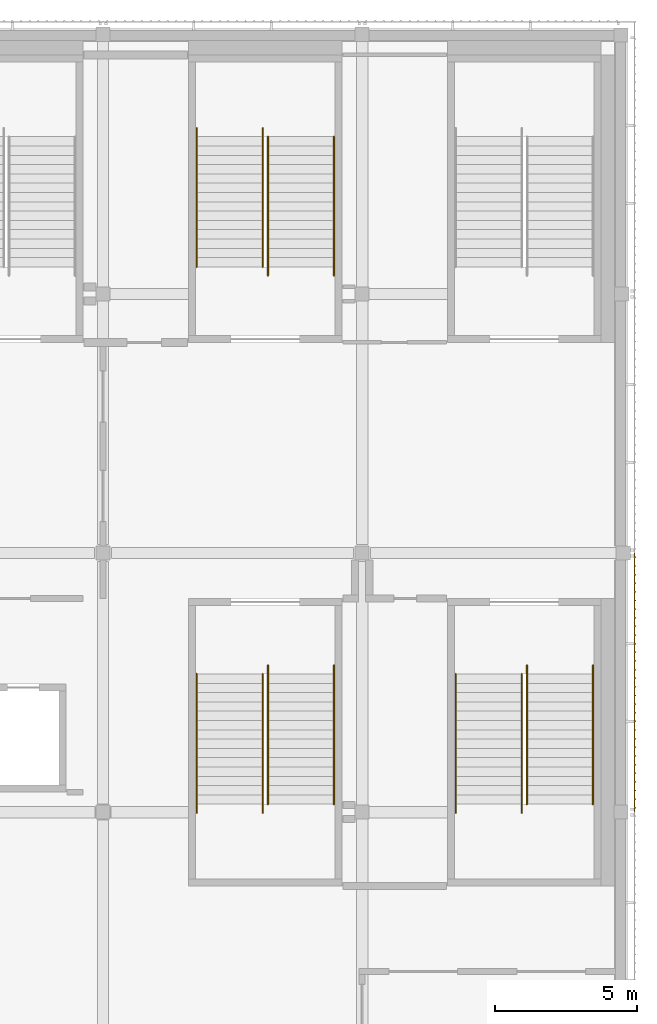
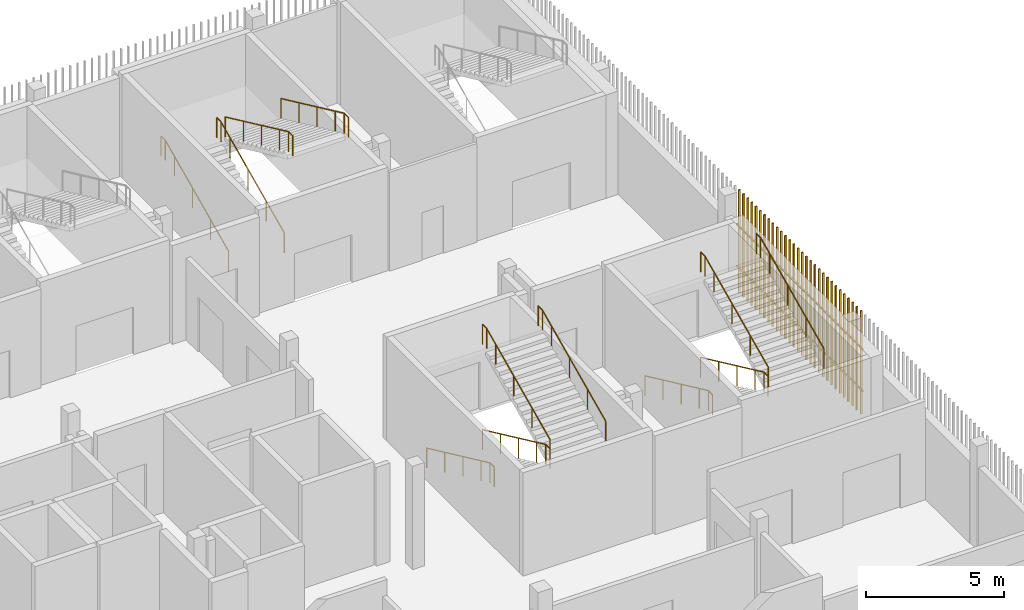
# One storey, part 86 of 91: 12 railings, 1 shading device.
"""IFC4 building model written with IfcOpenShell, lengths in metres."""

from ifc_helpers import new_model, si_unit, direction, frame, origin, origin_2d, place, context, subcontext, project, spatial, rectangle, circle, extrude, material, type_object, element, save


model = new_model("IFC4")

# Units and contexts
model_context = context("Model", 3, precision=1e-05, world=origin(), true_north=direction((0.0, 1.0)))
body_context = subcontext(model_context, "Body", "Model", "MODEL_VIEW")
ifc_project = project(units=[si_unit("LENGTHUNIT", "METRE"), si_unit("AREAUNIT", "SQUARE_METRE"), si_unit("VOLUMEUNIT", "CUBIC_METRE"), si_unit("PLANEANGLEUNIT", "RADIAN"), si_unit("MASSUNIT", "GRAM", prefix="KILO")], contexts=[model_context])

# Site, building, storey
site_placement = place(None, origin())
site = spatial("IfcSite", under=ifc_project, at=site_placement, CompositionType="ELEMENT")
building_placement = place(site_placement, origin())
building = spatial("IfcBuilding", under=site, at=building_placement, Name="Shirokan Park Arena", CompositionType="ELEMENT")
storey_placement = place(building_placement, frame((0.0, 0.0, 24.570068359375)))
storey = spatial("IfcBuildingStorey", under=building, at=storey_placement, Name="L05", CompositionType="ELEMENT", Elevation=24.570068359375)

# Railings
ifc_material_1 = material(Name="Stainless steel", Category="steel")
railing_type = type_object("IfcRailingType", Name="Stair handrail 900", PredefinedType="HANDRAIL", material=ifc_material_1)
railing_1_placement = place(storey_placement, frame((130.68994140625, 101.050048828125, 0.151611328125)))
element("IfcRailing", 1, at=railing_1_placement, inside=storey, type_object=railing_type, Name="Handrail Exit Stair 3.B L05 to L06", PredefinedType="HANDRAIL", context=body_context, shape_type="SweptSolid", body=[
    extrude(circle(Radius=0.02392578125, at=origin_2d()), frame((0.0, 0.0, 0.8759765625), z_axis=(0.0, 0.906999720516, 0.421131222998), x_axis=(-1.0, 0.0, 0.0)), (0.0, 0.0, 1.0), 1.440673828125),
    extrude(circle(Radius=0.02392578125, at=origin_2d()), frame((0.0, 1.306640625, 1.482421875), z_axis=(0.0, 0.907029769225, 0.421066500378), x_axis=(-1.0, 0.0, 0.0)), (0.0, 0.0, 1.0), 1.44091796875),
    extrude(circle(Radius=0.02392578125, at=origin_2d()), frame((0.0, 2.613525390625, 2.08935546875), z_axis=(0.0, 0.907029769225, 0.421066500378), x_axis=(-1.0, 0.0, 0.0)), (0.0, 0.0, 1.0), 1.44091796875),
    extrude(circle(Radius=0.02392578125, at=origin_2d()), frame((0.0, 3.92041015625, 2.69580078125), z_axis=(0.0, 0.907064445915, 0.420991794405), x_axis=(-1.0, 0.0, 0.0)), (0.0, 0.0, 1.0), 0.72021484375),
    extrude(circle(Radius=0.02392578125, at=origin_2d()), frame((0.0, 4.57373046875, 2.9990234375), z_axis=(0.0, 1.0, 0.0), x_axis=(-1.0, 0.0, 0.0)), (0.0, 0.0, 1.0), 0.300048828125),
    extrude(circle(Radius=0.02099609375, at=origin_2d()), origin(), (0.0, 0.0, 1.0), 0.851806640625),
    extrude(circle(Radius=0.02099609375, at=origin_2d()), frame((0.0, 1.306640625, 0.606689453125)), (0.0, 0.0, 1.0), 0.851806640625),
    extrude(circle(Radius=0.02099609375, at=origin_2d()), frame((0.0, 2.613525390625, 1.21337890625)), (0.0, 0.0, 1.0), 0.851806640625),
    extrude(circle(Radius=0.02099609375, at=origin_2d()), frame((0.0, 3.92041015625, 1.820068359375)), (0.0, 0.0, 1.0), 0.851806640625),
    extrude(circle(Radius=0.02099609375, at=origin_2d()), frame((0.0, 4.57373046875, 2.123291015625)), (0.0, 0.0, 1.0), 0.851806640625),
    extrude(circle(Radius=0.02099609375, at=origin_2d()), frame((0.0, 4.873779296875, 2.123291015625)), (0.0, 0.0, 1.0), 0.851806640625),
])
railing_2_placement = place(storey_placement, frame((133.010009765625, 101.050048828125, 0.151611328125)))
element("IfcRailing", 2, at=railing_2_placement, inside=storey, type_object=railing_type, Name="Handrail Exit Stair 3.B L05 to L06", PredefinedType="HANDRAIL", context=body_context, shape_type="SweptSolid", body=[
    extrude(circle(Radius=0.02392578125, at=origin_2d()), frame((0.0, 0.0, 0.8759765625), z_axis=(0.0, 0.906999720516, 0.421131222998), x_axis=(-1.0, 0.0, 0.0)), (0.0, 0.0, 1.0), 1.440673828125),
    extrude(circle(Radius=0.02392578125, at=origin_2d()), frame((0.0, 1.306640625, 1.482421875), z_axis=(0.0, 0.907029769225, 0.421066500378), x_axis=(-1.0, 0.0, 0.0)), (0.0, 0.0, 1.0), 1.44091796875),
    extrude(circle(Radius=0.02392578125, at=origin_2d()), frame((0.0, 2.613525390625, 2.08935546875), z_axis=(0.0, 0.907029769225, 0.421066500378), x_axis=(-1.0, 0.0, 0.0)), (0.0, 0.0, 1.0), 1.44091796875),
    extrude(circle(Radius=0.02392578125, at=origin_2d()), frame((0.0, 3.92041015625, 2.69580078125), z_axis=(0.0, 0.907064445915, 0.420991794405), x_axis=(-1.0, 0.0, 0.0)), (0.0, 0.0, 1.0), 0.72021484375),
    extrude(circle(Radius=0.02392578125, at=origin_2d()), frame((0.0, 4.57373046875, 2.9990234375), z_axis=(0.0, 1.0, 0.0), x_axis=(-1.0, 0.0, 0.0)), (0.0, 0.0, 1.0), 0.300048828125),
    extrude(circle(Radius=0.02099609375, at=origin_2d()), origin(), (0.0, 0.0, 1.0), 0.851806640625),
    extrude(circle(Radius=0.02099609375, at=origin_2d()), frame((0.0, 1.306640625, 0.606689453125)), (0.0, 0.0, 1.0), 0.851806640625),
    extrude(circle(Radius=0.02099609375, at=origin_2d()), frame((0.0, 2.613525390625, 1.21337890625)), (0.0, 0.0, 1.0), 0.851806640625),
    extrude(circle(Radius=0.02099609375, at=origin_2d()), frame((0.0, 3.92041015625, 1.820068359375)), (0.0, 0.0, 1.0), 0.851806640625),
    extrude(circle(Radius=0.02099609375, at=origin_2d()), frame((0.0, 4.57373046875, 2.123291015625)), (0.0, 0.0, 1.0), 0.851806640625),
    extrude(circle(Radius=0.02099609375, at=origin_2d()), frame((0.0, 4.873779296875, 2.123291015625)), (0.0, 0.0, 1.0), 0.851806640625),
])
railing_3_placement = place(storey_placement, frame((133.18994140625, 105.623779296875, 2.426513671875)))
element("IfcRailing", 3, at=railing_3_placement, inside=storey, type_object=railing_type, Name="Handrail Exit Stair 3.B L05 to L06", PredefinedType="HANDRAIL", context=body_context, shape_type="SweptSolid", body=[
    extrude(circle(Radius=0.02392578125, at=origin_2d()), frame((0.0, 0.0, 0.8759765625), z_axis=(0.0, -0.907029769225, 0.421066500378), x_axis=(1.0, 0.0, 0.0)), (0.0, 0.0, 1.0), 1.44091796875),
    extrude(circle(Radius=0.02392578125, at=origin_2d()), frame((0.0, -1.306884765625, 1.482421875), z_axis=(0.0, -0.906999720516, 0.421131222998), x_axis=(1.0, 0.0, 0.0)), (0.0, 0.0, 1.0), 1.440673828125),
    extrude(circle(Radius=0.02392578125, at=origin_2d()), frame((0.0, -2.613525390625, 2.08935546875), z_axis=(0.0, -0.907029769225, 0.421066500378), x_axis=(1.0, 0.0, 0.0)), (0.0, 0.0, 1.0), 1.44091796875),
    extrude(circle(Radius=0.02392578125, at=origin_2d()), frame((0.0, -3.92041015625, 2.69580078125), z_axis=(0.0, -0.906934982928, 0.421270621741), x_axis=(1.0, 0.0, 0.0)), (0.0, 0.0, 1.0), 0.720458984375),
    extrude(circle(Radius=0.02392578125, at=origin_2d()), frame((0.0, -4.57373046875, 2.99951171875), z_axis=(0.0, -1.0, 0.0), x_axis=(1.0, 0.0, 0.0)), (0.0, 0.0, 1.0), 0.300048828125),
    extrude(circle(Radius=0.02099609375, at=origin_2d()), origin(), (0.0, 0.0, 1.0), 0.851806640625),
    extrude(circle(Radius=0.02099609375, at=origin_2d()), frame((0.0, -1.306884765625, 0.606689453125)), (0.0, 0.0, 1.0), 0.851806640625),
    extrude(circle(Radius=0.02099609375, at=origin_2d()), frame((0.0, -2.613525390625, 1.21337890625)), (0.0, 0.0, 1.0), 0.851806640625),
    extrude(circle(Radius=0.02099609375, at=origin_2d()), frame((0.0, -3.92041015625, 1.820068359375)), (0.0, 0.0, 1.0), 0.851806640625),
    extrude(circle(Radius=0.02099609375, at=origin_2d()), frame((0.0, -4.57373046875, 2.12353515625)), (0.0, 0.0, 1.0), 0.851806640625),
    extrude(circle(Radius=0.02099609375, at=origin_2d()), frame((0.0, -4.873779296875, 2.12353515625)), (0.0, 0.0, 1.0), 0.851806640625),
])
railing_4_placement = place(storey_placement, frame((135.510009765625, 105.623779296875, 2.426513671875)))
element("IfcRailing", 4, at=railing_4_placement, inside=storey, type_object=railing_type, Name="Handrail Exit Stair 3.B L05 to L06", PredefinedType="HANDRAIL", context=body_context, shape_type="SweptSolid", body=[
    extrude(circle(Radius=0.02392578125, at=origin_2d()), frame((0.0, 0.0, 0.8759765625), z_axis=(0.0, -0.907029769225, 0.421066500378), x_axis=(1.0, 0.0, 0.0)), (0.0, 0.0, 1.0), 1.44091796875),
    extrude(circle(Radius=0.02392578125, at=origin_2d()), frame((0.0, -1.306884765625, 1.482421875), z_axis=(0.0, -0.906999720516, 0.421131222998), x_axis=(1.0, 0.0, 0.0)), (0.0, 0.0, 1.0), 1.440673828125),
    extrude(circle(Radius=0.02392578125, at=origin_2d()), frame((0.0, -2.613525390625, 2.08935546875), z_axis=(0.0, -0.907029769225, 0.421066500378), x_axis=(1.0, 0.0, 0.0)), (0.0, 0.0, 1.0), 1.44091796875),
    extrude(circle(Radius=0.02392578125, at=origin_2d()), frame((0.0, -3.92041015625, 2.69580078125), z_axis=(0.0, -0.906934982928, 0.421270621741), x_axis=(1.0, 0.0, 0.0)), (0.0, 0.0, 1.0), 0.720458984375),
    extrude(circle(Radius=0.02392578125, at=origin_2d()), frame((0.0, -4.57373046875, 2.99951171875), z_axis=(0.0, -1.0, 0.0), x_axis=(1.0, 0.0, 0.0)), (0.0, 0.0, 1.0), 0.300048828125),
    extrude(circle(Radius=0.02099609375, at=origin_2d()), origin(), (0.0, 0.0, 1.0), 0.851806640625),
    extrude(circle(Radius=0.02099609375, at=origin_2d()), frame((0.0, -1.306884765625, 0.606689453125)), (0.0, 0.0, 1.0), 0.851806640625),
    extrude(circle(Radius=0.02099609375, at=origin_2d()), frame((0.0, -2.613525390625, 1.21337890625)), (0.0, 0.0, 1.0), 0.851806640625),
    extrude(circle(Radius=0.02099609375, at=origin_2d()), frame((0.0, -3.92041015625, 1.820068359375)), (0.0, 0.0, 1.0), 0.851806640625),
    extrude(circle(Radius=0.02099609375, at=origin_2d()), frame((0.0, -4.57373046875, 2.12353515625)), (0.0, 0.0, 1.0), 0.851806640625),
    extrude(circle(Radius=0.02099609375, at=origin_2d()), frame((0.0, -4.873779296875, 2.12353515625)), (0.0, 0.0, 1.0), 0.851806640625),
])
railing_5_placement = place(storey_placement, frame((139.7900390625, 86.75, 0.151611328125)))
element("IfcRailing", 5, at=railing_5_placement, inside=storey, type_object=railing_type, Name="Handrail Exit Stair 3.E L05 to L06", PredefinedType="HANDRAIL", context=body_context, shape_type="SweptSolid", body=[
    extrude(circle(Radius=0.02392578125, at=origin_2d()), frame((0.0, 0.0, 0.8759765625), z_axis=(0.0, -0.907029769225, 0.421066500378), x_axis=(1.0, 0.0, 0.0)), (0.0, 0.0, 1.0), 1.44091796875),
    extrude(circle(Radius=0.02392578125, at=origin_2d()), frame((0.0, -1.306884765625, 1.482421875), z_axis=(0.0, -0.906999720516, 0.421131222998), x_axis=(1.0, 0.0, 0.0)), (0.0, 0.0, 1.0), 1.440673828125),
    extrude(circle(Radius=0.02392578125, at=origin_2d()), frame((0.0, -2.613525390625, 2.08935546875), z_axis=(0.0, -0.907029769225, 0.421066500378), x_axis=(1.0, 0.0, 0.0)), (0.0, 0.0, 1.0), 1.44091796875),
    extrude(circle(Radius=0.02392578125, at=origin_2d()), frame((0.0, -3.92041015625, 2.69580078125), z_axis=(0.0, -0.907064445915, 0.420991794405), x_axis=(1.0, 0.0, 0.0)), (0.0, 0.0, 1.0), 0.72021484375),
    extrude(circle(Radius=0.02392578125, at=origin_2d()), frame((0.0, -4.57373046875, 2.9990234375), z_axis=(0.0, -1.0, 0.0), x_axis=(1.0, 0.0, 0.0)), (0.0, 0.0, 1.0), 0.300048828125),
    extrude(circle(Radius=0.02099609375, at=origin_2d()), origin(), (0.0, 0.0, 1.0), 0.851806640625),
    extrude(circle(Radius=0.02099609375, at=origin_2d()), frame((0.0, -1.306884765625, 0.606689453125)), (0.0, 0.0, 1.0), 0.851806640625),
    extrude(circle(Radius=0.02099609375, at=origin_2d()), frame((0.0, -2.613525390625, 1.21337890625)), (0.0, 0.0, 1.0), 0.851806640625),
    extrude(circle(Radius=0.02099609375, at=origin_2d()), frame((0.0, -3.92041015625, 1.820068359375)), (0.0, 0.0, 1.0), 0.851806640625),
    extrude(circle(Radius=0.02099609375, at=origin_2d()), frame((0.0, -4.57373046875, 2.123291015625)), (0.0, 0.0, 1.0), 0.851806640625),
    extrude(circle(Radius=0.02099609375, at=origin_2d()), frame((0.0, -4.873779296875, 2.123291015625)), (0.0, 0.0, 1.0), 0.851806640625),
])
railing_6_placement = place(storey_placement, frame((142.110107421875, 86.75, 0.151611328125)))
element("IfcRailing", 6, at=railing_6_placement, inside=storey, type_object=railing_type, Name="Handrail Exit Stair 3.E L05 to L06", PredefinedType="HANDRAIL", context=body_context, shape_type="SweptSolid", body=[
    extrude(circle(Radius=0.02392578125, at=origin_2d()), frame((0.0, 0.0, 0.8759765625), z_axis=(0.0, -0.907029769225, 0.421066500378), x_axis=(1.0, 0.0, 0.0)), (0.0, 0.0, 1.0), 1.44091796875),
    extrude(circle(Radius=0.02392578125, at=origin_2d()), frame((0.0, -1.306884765625, 1.482421875), z_axis=(0.0, -0.906999720516, 0.421131222998), x_axis=(1.0, 0.0, 0.0)), (0.0, 0.0, 1.0), 1.440673828125),
    extrude(circle(Radius=0.02392578125, at=origin_2d()), frame((0.0, -2.613525390625, 2.08935546875), z_axis=(0.0, -0.907029769225, 0.421066500378), x_axis=(1.0, 0.0, 0.0)), (0.0, 0.0, 1.0), 1.44091796875),
    extrude(circle(Radius=0.02392578125, at=origin_2d()), frame((0.0, -3.92041015625, 2.69580078125), z_axis=(0.0, -0.907064445915, 0.420991794405), x_axis=(1.0, 0.0, 0.0)), (0.0, 0.0, 1.0), 0.72021484375),
    extrude(circle(Radius=0.02392578125, at=origin_2d()), frame((0.0, -4.57373046875, 2.9990234375), z_axis=(0.0, -1.0, 0.0), x_axis=(1.0, 0.0, 0.0)), (0.0, 0.0, 1.0), 0.300048828125),
    extrude(circle(Radius=0.02099609375, at=origin_2d()), origin(), (0.0, 0.0, 1.0), 0.851806640625),
    extrude(circle(Radius=0.02099609375, at=origin_2d()), frame((0.0, -1.306884765625, 0.606689453125)), (0.0, 0.0, 1.0), 0.851806640625),
    extrude(circle(Radius=0.02099609375, at=origin_2d()), frame((0.0, -2.613525390625, 1.21337890625)), (0.0, 0.0, 1.0), 0.851806640625),
    extrude(circle(Radius=0.02099609375, at=origin_2d()), frame((0.0, -3.92041015625, 1.820068359375)), (0.0, 0.0, 1.0), 0.851806640625),
    extrude(circle(Radius=0.02099609375, at=origin_2d()), frame((0.0, -4.57373046875, 2.123291015625)), (0.0, 0.0, 1.0), 0.851806640625),
    extrude(circle(Radius=0.02099609375, at=origin_2d()), frame((0.0, -4.873779296875, 2.123291015625)), (0.0, 0.0, 1.0), 0.851806640625),
])
railing_7_placement = place(storey_placement, frame((142.2900390625, 82.17626953125, 2.426513671875)))
element("IfcRailing", 7, at=railing_7_placement, inside=storey, type_object=railing_type, Name="Handrail Exit Stair 3.E L05 to L06", PredefinedType="HANDRAIL", context=body_context, shape_type="SweptSolid", body=[
    extrude(circle(Radius=0.02392578125, at=origin_2d()), frame((0.0, 0.0, 0.8759765625), z_axis=(0.0, 0.906999720516, 0.421131222998), x_axis=(-1.0, 0.0, 0.0)), (0.0, 0.0, 1.0), 1.440673828125),
    extrude(circle(Radius=0.02392578125, at=origin_2d()), frame((0.0, 1.306640625, 1.482421875), z_axis=(0.0, 0.907029769225, 0.421066500378), x_axis=(-1.0, 0.0, 0.0)), (0.0, 0.0, 1.0), 1.44091796875),
    extrude(circle(Radius=0.02392578125, at=origin_2d()), frame((0.0, 2.613525390625, 2.08935546875), z_axis=(0.0, 0.907029769225, 0.421066500378), x_axis=(-1.0, 0.0, 0.0)), (0.0, 0.0, 1.0), 1.44091796875),
    extrude(circle(Radius=0.02392578125, at=origin_2d()), frame((0.0, 3.92041015625, 2.69580078125), z_axis=(0.0, 0.906934982928, 0.421270621741), x_axis=(-1.0, 0.0, 0.0)), (0.0, 0.0, 1.0), 0.720458984375),
    extrude(circle(Radius=0.02392578125, at=origin_2d()), frame((0.0, 4.57373046875, 2.99951171875), z_axis=(0.0, 1.0, 0.0), x_axis=(-1.0, 0.0, 0.0)), (0.0, 0.0, 1.0), 0.300048828125),
    extrude(circle(Radius=0.02099609375, at=origin_2d()), origin(), (0.0, 0.0, 1.0), 0.851806640625),
    extrude(circle(Radius=0.02099609375, at=origin_2d()), frame((0.0, 1.306640625, 0.606689453125)), (0.0, 0.0, 1.0), 0.851806640625),
    extrude(circle(Radius=0.02099609375, at=origin_2d()), frame((0.0, 2.613525390625, 1.21337890625)), (0.0, 0.0, 1.0), 0.851806640625),
    extrude(circle(Radius=0.02099609375, at=origin_2d()), frame((0.0, 3.92041015625, 1.820068359375)), (0.0, 0.0, 1.0), 0.851806640625),
    extrude(circle(Radius=0.02099609375, at=origin_2d()), frame((0.0, 4.57373046875, 2.12353515625)), (0.0, 0.0, 1.0), 0.851806640625),
    extrude(circle(Radius=0.02099609375, at=origin_2d()), frame((0.0, 4.873779296875, 2.12353515625)), (0.0, 0.0, 1.0), 0.851806640625),
])
railing_8_placement = place(storey_placement, frame((144.610107421875, 82.17626953125, 2.426513671875)))
element("IfcRailing", 8, at=railing_8_placement, inside=storey, type_object=railing_type, Name="Handrail Exit Stair 3.E L05 to L06", PredefinedType="HANDRAIL", context=body_context, shape_type="SweptSolid", body=[
    extrude(circle(Radius=0.02392578125, at=origin_2d()), frame((0.0, 0.0, 0.8759765625), z_axis=(0.0, 0.906999720516, 0.421131222998), x_axis=(-1.0, 0.0, 0.0)), (0.0, 0.0, 1.0), 1.440673828125),
    extrude(circle(Radius=0.02392578125, at=origin_2d()), frame((0.0, 1.306640625, 1.482421875), z_axis=(0.0, 0.907029769225, 0.421066500378), x_axis=(-1.0, 0.0, 0.0)), (0.0, 0.0, 1.0), 1.44091796875),
    extrude(circle(Radius=0.02392578125, at=origin_2d()), frame((0.0, 2.613525390625, 2.08935546875), z_axis=(0.0, 0.907029769225, 0.421066500378), x_axis=(-1.0, 0.0, 0.0)), (0.0, 0.0, 1.0), 1.44091796875),
    extrude(circle(Radius=0.02392578125, at=origin_2d()), frame((0.0, 3.92041015625, 2.69580078125), z_axis=(0.0, 0.906934982928, 0.421270621741), x_axis=(-1.0, 0.0, 0.0)), (0.0, 0.0, 1.0), 0.720458984375),
    extrude(circle(Radius=0.02392578125, at=origin_2d()), frame((0.0, 4.57373046875, 2.99951171875), z_axis=(0.0, 1.0, 0.0), x_axis=(-1.0, 0.0, 0.0)), (0.0, 0.0, 1.0), 0.300048828125),
    extrude(circle(Radius=0.02099609375, at=origin_2d()), origin(), (0.0, 0.0, 1.0), 0.851806640625),
    extrude(circle(Radius=0.02099609375, at=origin_2d()), frame((0.0, 1.306640625, 0.606689453125)), (0.0, 0.0, 1.0), 0.851806640625),
    extrude(circle(Radius=0.02099609375, at=origin_2d()), frame((0.0, 2.613525390625, 1.21337890625)), (0.0, 0.0, 1.0), 0.851806640625),
    extrude(circle(Radius=0.02099609375, at=origin_2d()), frame((0.0, 3.92041015625, 1.820068359375)), (0.0, 0.0, 1.0), 0.851806640625),
    extrude(circle(Radius=0.02099609375, at=origin_2d()), frame((0.0, 4.57373046875, 2.12353515625)), (0.0, 0.0, 1.0), 0.851806640625),
    extrude(circle(Radius=0.02099609375, at=origin_2d()), frame((0.0, 4.873779296875, 2.12353515625)), (0.0, 0.0, 1.0), 0.851806640625),
])
railing_9_placement = place(storey_placement, frame((130.68994140625, 86.75, 0.151611328125)))
element("IfcRailing", 9, at=railing_9_placement, inside=storey, type_object=railing_type, Name="Handrail Exit Stair 3.F L05 to L06", PredefinedType="HANDRAIL", context=body_context, shape_type="SweptSolid", body=[
    extrude(circle(Radius=0.02392578125, at=origin_2d()), frame((0.0, 0.0, 0.8759765625), z_axis=(0.0, -0.907029769225, 0.421066500378), x_axis=(1.0, 0.0, 0.0)), (0.0, 0.0, 1.0), 1.44091796875),
    extrude(circle(Radius=0.02392578125, at=origin_2d()), frame((0.0, -1.306884765625, 1.482421875), z_axis=(0.0, -0.906999720516, 0.421131222998), x_axis=(1.0, 0.0, 0.0)), (0.0, 0.0, 1.0), 1.440673828125),
    extrude(circle(Radius=0.02392578125, at=origin_2d()), frame((0.0, -2.613525390625, 2.08935546875), z_axis=(0.0, -0.907029769225, 0.421066500378), x_axis=(1.0, 0.0, 0.0)), (0.0, 0.0, 1.0), 1.44091796875),
    extrude(circle(Radius=0.02392578125, at=origin_2d()), frame((0.0, -3.92041015625, 2.69580078125), z_axis=(0.0, -0.907064445915, 0.420991794405), x_axis=(1.0, 0.0, 0.0)), (0.0, 0.0, 1.0), 0.72021484375),
    extrude(circle(Radius=0.02392578125, at=origin_2d()), frame((0.0, -4.57373046875, 2.9990234375), z_axis=(0.0, -1.0, 0.0), x_axis=(1.0, 0.0, 0.0)), (0.0, 0.0, 1.0), 0.300048828125),
    extrude(circle(Radius=0.02099609375, at=origin_2d()), origin(), (0.0, 0.0, 1.0), 0.851806640625),
    extrude(circle(Radius=0.02099609375, at=origin_2d()), frame((0.0, -1.306884765625, 0.606689453125)), (0.0, 0.0, 1.0), 0.851806640625),
    extrude(circle(Radius=0.02099609375, at=origin_2d()), frame((0.0, -2.613525390625, 1.21337890625)), (0.0, 0.0, 1.0), 0.851806640625),
    extrude(circle(Radius=0.02099609375, at=origin_2d()), frame((0.0, -3.92041015625, 1.820068359375)), (0.0, 0.0, 1.0), 0.851806640625),
    extrude(circle(Radius=0.02099609375, at=origin_2d()), frame((0.0, -4.57373046875, 2.123291015625)), (0.0, 0.0, 1.0), 0.851806640625),
    extrude(circle(Radius=0.02099609375, at=origin_2d()), frame((0.0, -4.873779296875, 2.123291015625)), (0.0, 0.0, 1.0), 0.851806640625),
])
railing_10_placement = place(storey_placement, frame((133.010009765625, 86.75, 0.151611328125)))
element("IfcRailing", 10, at=railing_10_placement, inside=storey, type_object=railing_type, Name="Handrail Exit Stair 3.F L05 to L06", PredefinedType="HANDRAIL", context=body_context, shape_type="SweptSolid", body=[
    extrude(circle(Radius=0.02392578125, at=origin_2d()), frame((0.0, 0.0, 0.8759765625), z_axis=(0.0, -0.907029769225, 0.421066500378), x_axis=(1.0, 0.0, 0.0)), (0.0, 0.0, 1.0), 1.44091796875),
    extrude(circle(Radius=0.02392578125, at=origin_2d()), frame((0.0, -1.306884765625, 1.482421875), z_axis=(0.0, -0.906999720516, 0.421131222998), x_axis=(1.0, 0.0, 0.0)), (0.0, 0.0, 1.0), 1.440673828125),
    extrude(circle(Radius=0.02392578125, at=origin_2d()), frame((0.0, -2.613525390625, 2.08935546875), z_axis=(0.0, -0.907029769225, 0.421066500378), x_axis=(1.0, 0.0, 0.0)), (0.0, 0.0, 1.0), 1.44091796875),
    extrude(circle(Radius=0.02392578125, at=origin_2d()), frame((0.0, -3.92041015625, 2.69580078125), z_axis=(0.0, -0.907064445915, 0.420991794405), x_axis=(1.0, 0.0, 0.0)), (0.0, 0.0, 1.0), 0.72021484375),
    extrude(circle(Radius=0.02392578125, at=origin_2d()), frame((0.0, -4.57373046875, 2.9990234375), z_axis=(0.0, -1.0, 0.0), x_axis=(1.0, 0.0, 0.0)), (0.0, 0.0, 1.0), 0.300048828125),
    extrude(circle(Radius=0.02099609375, at=origin_2d()), origin(), (0.0, 0.0, 1.0), 0.851806640625),
    extrude(circle(Radius=0.02099609375, at=origin_2d()), frame((0.0, -1.306884765625, 0.606689453125)), (0.0, 0.0, 1.0), 0.851806640625),
    extrude(circle(Radius=0.02099609375, at=origin_2d()), frame((0.0, -2.613525390625, 1.21337890625)), (0.0, 0.0, 1.0), 0.851806640625),
    extrude(circle(Radius=0.02099609375, at=origin_2d()), frame((0.0, -3.92041015625, 1.820068359375)), (0.0, 0.0, 1.0), 0.851806640625),
    extrude(circle(Radius=0.02099609375, at=origin_2d()), frame((0.0, -4.57373046875, 2.123291015625)), (0.0, 0.0, 1.0), 0.851806640625),
    extrude(circle(Radius=0.02099609375, at=origin_2d()), frame((0.0, -4.873779296875, 2.123291015625)), (0.0, 0.0, 1.0), 0.851806640625),
])
railing_11_placement = place(storey_placement, frame((133.18994140625, 82.17626953125, 2.426513671875)))
element("IfcRailing", 11, at=railing_11_placement, inside=storey, type_object=railing_type, Name="Handrail Exit Stair 3.F L05 to L06", PredefinedType="HANDRAIL", context=body_context, shape_type="SweptSolid", body=[
    extrude(circle(Radius=0.02392578125, at=origin_2d()), frame((0.0, 0.0, 0.8759765625), z_axis=(0.0, 0.906999720516, 0.421131222998), x_axis=(-1.0, 0.0, 0.0)), (0.0, 0.0, 1.0), 1.440673828125),
    extrude(circle(Radius=0.02392578125, at=origin_2d()), frame((0.0, 1.306640625, 1.482421875), z_axis=(0.0, 0.907029769225, 0.421066500378), x_axis=(-1.0, 0.0, 0.0)), (0.0, 0.0, 1.0), 1.44091796875),
    extrude(circle(Radius=0.02392578125, at=origin_2d()), frame((0.0, 2.613525390625, 2.08935546875), z_axis=(0.0, 0.907029769225, 0.421066500378), x_axis=(-1.0, 0.0, 0.0)), (0.0, 0.0, 1.0), 1.44091796875),
    extrude(circle(Radius=0.02392578125, at=origin_2d()), frame((0.0, 3.92041015625, 2.69580078125), z_axis=(0.0, 0.906934982928, 0.421270621741), x_axis=(-1.0, 0.0, 0.0)), (0.0, 0.0, 1.0), 0.720458984375),
    extrude(circle(Radius=0.02392578125, at=origin_2d()), frame((0.0, 4.57373046875, 2.99951171875), z_axis=(0.0, 1.0, 0.0), x_axis=(-1.0, 0.0, 0.0)), (0.0, 0.0, 1.0), 0.300048828125),
    extrude(circle(Radius=0.02099609375, at=origin_2d()), origin(), (0.0, 0.0, 1.0), 0.851806640625),
    extrude(circle(Radius=0.02099609375, at=origin_2d()), frame((0.0, 1.306640625, 0.606689453125)), (0.0, 0.0, 1.0), 0.851806640625),
    extrude(circle(Radius=0.02099609375, at=origin_2d()), frame((0.0, 2.613525390625, 1.21337890625)), (0.0, 0.0, 1.0), 0.851806640625),
    extrude(circle(Radius=0.02099609375, at=origin_2d()), frame((0.0, 3.92041015625, 1.820068359375)), (0.0, 0.0, 1.0), 0.851806640625),
    extrude(circle(Radius=0.02099609375, at=origin_2d()), frame((0.0, 4.57373046875, 2.12353515625)), (0.0, 0.0, 1.0), 0.851806640625),
    extrude(circle(Radius=0.02099609375, at=origin_2d()), frame((0.0, 4.873779296875, 2.12353515625)), (0.0, 0.0, 1.0), 0.851806640625),
])
railing_12_placement = place(storey_placement, frame((135.510009765625, 82.17626953125, 2.426513671875)))
element("IfcRailing", 12, at=railing_12_placement, inside=storey, type_object=railing_type, Name="Handrail Exit Stair 3.F L05 to L06", PredefinedType="HANDRAIL", context=body_context, shape_type="SweptSolid", body=[
    extrude(circle(Radius=0.02392578125, at=origin_2d()), frame((0.0, 0.0, 0.8759765625), z_axis=(0.0, 0.906999720516, 0.421131222998), x_axis=(-1.0, 0.0, 0.0)), (0.0, 0.0, 1.0), 1.440673828125),
    extrude(circle(Radius=0.02392578125, at=origin_2d()), frame((0.0, 1.306640625, 1.482421875), z_axis=(0.0, 0.907029769225, 0.421066500378), x_axis=(-1.0, 0.0, 0.0)), (0.0, 0.0, 1.0), 1.44091796875),
    extrude(circle(Radius=0.02392578125, at=origin_2d()), frame((0.0, 2.613525390625, 2.08935546875), z_axis=(0.0, 0.907029769225, 0.421066500378), x_axis=(-1.0, 0.0, 0.0)), (0.0, 0.0, 1.0), 1.44091796875),
    extrude(circle(Radius=0.02392578125, at=origin_2d()), frame((0.0, 3.92041015625, 2.69580078125), z_axis=(0.0, 0.906934982928, 0.421270621741), x_axis=(-1.0, 0.0, 0.0)), (0.0, 0.0, 1.0), 0.720458984375),
    extrude(circle(Radius=0.02392578125, at=origin_2d()), frame((0.0, 4.57373046875, 2.99951171875), z_axis=(0.0, 1.0, 0.0), x_axis=(-1.0, 0.0, 0.0)), (0.0, 0.0, 1.0), 0.300048828125),
    extrude(circle(Radius=0.02099609375, at=origin_2d()), origin(), (0.0, 0.0, 1.0), 0.851806640625),
    extrude(circle(Radius=0.02099609375, at=origin_2d()), frame((0.0, 1.306640625, 0.606689453125)), (0.0, 0.0, 1.0), 0.851806640625),
    extrude(circle(Radius=0.02099609375, at=origin_2d()), frame((0.0, 2.613525390625, 1.21337890625)), (0.0, 0.0, 1.0), 0.851806640625),
    extrude(circle(Radius=0.02099609375, at=origin_2d()), frame((0.0, 3.92041015625, 1.820068359375)), (0.0, 0.0, 1.0), 0.851806640625),
    extrude(circle(Radius=0.02099609375, at=origin_2d()), frame((0.0, 4.57373046875, 2.12353515625)), (0.0, 0.0, 1.0), 0.851806640625),
    extrude(circle(Radius=0.02099609375, at=origin_2d()), frame((0.0, 4.873779296875, 2.12353515625)), (0.0, 0.0, 1.0), 0.851806640625),
])

# Shading device
ifc_material_2 = material(Name="Timber louvre veil (cedar)", Category="wood")
shading_device_type = type_object("IfcShadingDeviceType", Name="Timber louvre veil panel", PredefinedType="JALOUSIE", material=ifc_material_2)
shading_device_placement = place(storey_placement, origin())
element("IfcShadingDevice", 13, at=shading_device_placement, inside=storey, type_object=shading_device_type, Name="Timber louvre veil east bay 10 L05", PredefinedType="JALOUSIE", context=body_context, shape_type="SweptSolid", body=[
    extrude(rectangle(XDim=0.050048828125, YDim=0.080078125, at=origin_2d()), frame((146.0849609375, 82.0517578125, 0.0), z_axis=(0.0, 0.0, 1.0), x_axis=(0.0, 1.0, 0.0)), (0.0, 0.0, 1.0), 4.550048828125),
    extrude(rectangle(XDim=0.050048828125, YDim=0.080078125, at=origin_2d()), frame((146.0849609375, 82.35498046875, 0.0), z_axis=(0.0, 0.0, 1.0), x_axis=(0.0, 1.0, 0.0)), (0.0, 0.0, 1.0), 4.550048828125),
    extrude(rectangle(XDim=0.050048828125, YDim=0.080078125, at=origin_2d()), frame((146.0849609375, 82.658447265625, 0.0), z_axis=(0.0, 0.0, 1.0), x_axis=(0.0, 1.0, 0.0)), (0.0, 0.0, 1.0), 4.550048828125),
    extrude(rectangle(XDim=0.050048828125, YDim=0.080078125, at=origin_2d()), frame((146.0849609375, 82.961669921875, 0.0), z_axis=(0.0, 0.0, 1.0), x_axis=(0.0, 1.0, 0.0)), (0.0, 0.0, 1.0), 4.550048828125),
    extrude(rectangle(XDim=0.050048828125, YDim=0.080078125, at=origin_2d()), frame((146.0849609375, 83.264892578125, 0.0), z_axis=(0.0, 0.0, 1.0), x_axis=(0.0, 1.0, 0.0)), (0.0, 0.0, 1.0), 4.550048828125),
    extrude(rectangle(XDim=0.050048828125, YDim=0.080078125, at=origin_2d()), frame((146.0849609375, 83.568359375, 0.0), z_axis=(0.0, 0.0, 1.0), x_axis=(0.0, 1.0, 0.0)), (0.0, 0.0, 1.0), 4.550048828125),
    extrude(rectangle(XDim=0.050048828125, YDim=0.080078125, at=origin_2d()), frame((146.0849609375, 83.87158203125, 0.0), z_axis=(0.0, 0.0, 1.0), x_axis=(0.0, 1.0, 0.0)), (0.0, 0.0, 1.0), 4.550048828125),
    extrude(rectangle(XDim=0.050048828125, YDim=0.080078125, at=origin_2d()), frame((146.0849609375, 84.175048828125, 0.0), z_axis=(0.0, 0.0, 1.0), x_axis=(0.0, 1.0, 0.0)), (0.0, 0.0, 1.0), 4.550048828125),
    extrude(rectangle(XDim=0.050048828125, YDim=0.080078125, at=origin_2d()), frame((146.0849609375, 84.478271484375, 0.0), z_axis=(0.0, 0.0, 1.0), x_axis=(0.0, 1.0, 0.0)), (0.0, 0.0, 1.0), 4.550048828125),
    extrude(rectangle(XDim=0.050048828125, YDim=0.080078125, at=origin_2d()), frame((146.0849609375, 84.78173828125, 0.0), z_axis=(0.0, 0.0, 1.0), x_axis=(0.0, 1.0, 0.0)), (0.0, 0.0, 1.0), 4.550048828125),
    extrude(rectangle(XDim=0.050048828125, YDim=0.080078125, at=origin_2d()), frame((146.0849609375, 85.0849609375, 0.0), z_axis=(0.0, 0.0, 1.0), x_axis=(0.0, 1.0, 0.0)), (0.0, 0.0, 1.0), 4.550048828125),
    extrude(rectangle(XDim=0.050048828125, YDim=0.080078125, at=origin_2d()), frame((146.0849609375, 85.388427734375, 0.0), z_axis=(0.0, 0.0, 1.0), x_axis=(0.0, 1.0, 0.0)), (0.0, 0.0, 1.0), 4.550048828125),
    extrude(rectangle(XDim=0.050048828125, YDim=0.080078125, at=origin_2d()), frame((146.0849609375, 85.691650390625, 0.0), z_axis=(0.0, 0.0, 1.0), x_axis=(0.0, 1.0, 0.0)), (0.0, 0.0, 1.0), 4.550048828125),
    extrude(rectangle(XDim=0.050048828125, YDim=0.080078125, at=origin_2d()), frame((146.0849609375, 85.9951171875, 0.0), z_axis=(0.0, 0.0, 1.0), x_axis=(0.0, 1.0, 0.0)), (0.0, 0.0, 1.0), 4.550048828125),
    extrude(rectangle(XDim=0.050048828125, YDim=0.080078125, at=origin_2d()), frame((146.0849609375, 86.29833984375, 0.0), z_axis=(0.0, 0.0, 1.0), x_axis=(0.0, 1.0, 0.0)), (0.0, 0.0, 1.0), 4.550048828125),
    extrude(rectangle(XDim=0.050048828125, YDim=0.080078125, at=origin_2d()), frame((146.0849609375, 86.6015625, 0.0), z_axis=(0.0, 0.0, 1.0), x_axis=(0.0, 1.0, 0.0)), (0.0, 0.0, 1.0), 4.550048828125),
    extrude(rectangle(XDim=0.050048828125, YDim=0.080078125, at=origin_2d()), frame((146.0849609375, 86.905029296875, 0.0), z_axis=(0.0, 0.0, 1.0), x_axis=(0.0, 1.0, 0.0)), (0.0, 0.0, 1.0), 4.550048828125),
    extrude(rectangle(XDim=0.050048828125, YDim=0.080078125, at=origin_2d()), frame((146.0849609375, 87.208251953125, 0.0), z_axis=(0.0, 0.0, 1.0), x_axis=(0.0, 1.0, 0.0)), (0.0, 0.0, 1.0), 4.550048828125),
    extrude(rectangle(XDim=0.050048828125, YDim=0.080078125, at=origin_2d()), frame((146.0849609375, 87.51171875, 0.0), z_axis=(0.0, 0.0, 1.0), x_axis=(0.0, 1.0, 0.0)), (0.0, 0.0, 1.0), 4.550048828125),
    extrude(rectangle(XDim=0.050048828125, YDim=0.080078125, at=origin_2d()), frame((146.0849609375, 87.81494140625, 0.0), z_axis=(0.0, 0.0, 1.0), x_axis=(0.0, 1.0, 0.0)), (0.0, 0.0, 1.0), 4.550048828125),
    extrude(rectangle(XDim=0.050048828125, YDim=0.080078125, at=origin_2d()), frame((146.0849609375, 88.118408203125, 0.0), z_axis=(0.0, 0.0, 1.0), x_axis=(0.0, 1.0, 0.0)), (0.0, 0.0, 1.0), 4.550048828125),
    extrude(rectangle(XDim=0.050048828125, YDim=0.080078125, at=origin_2d()), frame((146.0849609375, 88.421630859375, 0.0), z_axis=(0.0, 0.0, 1.0), x_axis=(0.0, 1.0, 0.0)), (0.0, 0.0, 1.0), 4.550048828125),
    extrude(rectangle(XDim=0.050048828125, YDim=0.080078125, at=origin_2d()), frame((146.0849609375, 88.72509765625, 0.0), z_axis=(0.0, 0.0, 1.0), x_axis=(0.0, 1.0, 0.0)), (0.0, 0.0, 1.0), 4.550048828125),
    extrude(rectangle(XDim=0.050048828125, YDim=0.080078125, at=origin_2d()), frame((146.0849609375, 89.0283203125, 0.0), z_axis=(0.0, 0.0, 1.0), x_axis=(0.0, 1.0, 0.0)), (0.0, 0.0, 1.0), 4.550048828125),
    extrude(rectangle(XDim=0.050048828125, YDim=0.080078125, at=origin_2d()), frame((146.0849609375, 89.331787109375, 0.0), z_axis=(0.0, 0.0, 1.0), x_axis=(0.0, 1.0, 0.0)), (0.0, 0.0, 1.0), 4.550048828125),
    extrude(rectangle(XDim=0.050048828125, YDim=0.080078125, at=origin_2d()), frame((146.0849609375, 89.635009765625, 0.0), z_axis=(0.0, 0.0, 1.0), x_axis=(0.0, 1.0, 0.0)), (0.0, 0.0, 1.0), 4.550048828125),
    extrude(rectangle(XDim=0.050048828125, YDim=0.080078125, at=origin_2d()), frame((146.0849609375, 89.938232421875, 0.0), z_axis=(0.0, 0.0, 1.0), x_axis=(0.0, 1.0, 0.0)), (0.0, 0.0, 1.0), 4.550048828125),
    extrude(rectangle(XDim=0.050048828125, YDim=0.080078125, at=origin_2d()), frame((146.0849609375, 90.24169921875, 0.0), z_axis=(0.0, 0.0, 1.0), x_axis=(0.0, 1.0, 0.0)), (0.0, 0.0, 1.0), 4.550048828125),
    extrude(rectangle(XDim=0.050048828125, YDim=0.080078125, at=origin_2d()), frame((146.0849609375, 90.544921875, 0.0), z_axis=(0.0, 0.0, 1.0), x_axis=(0.0, 1.0, 0.0)), (0.0, 0.0, 1.0), 4.550048828125),
    extrude(rectangle(XDim=0.050048828125, YDim=0.080078125, at=origin_2d()), frame((146.0849609375, 90.848388671875, 0.0), z_axis=(0.0, 0.0, 1.0), x_axis=(0.0, 1.0, 0.0)), (0.0, 0.0, 1.0), 4.550048828125),
    extrude(rectangle(XDim=9.10009765625, YDim=0.050048828125, at=origin_2d()), frame((146.070068359375, 86.449951171875, 1.059814453125), z_axis=(0.0, 0.0, 1.0), x_axis=(0.0, 1.0, 0.0)), (0.0, 0.0, 1.0), 0.080078125),
    extrude(rectangle(XDim=9.10009765625, YDim=0.050048828125, at=origin_2d()), frame((146.070068359375, 86.449951171875, 2.909912109375), z_axis=(0.0, 0.0, 1.0), x_axis=(0.0, 1.0, 0.0)), (0.0, 0.0, 1.0), 0.080078125),
])

save(model, "model.ifc")
